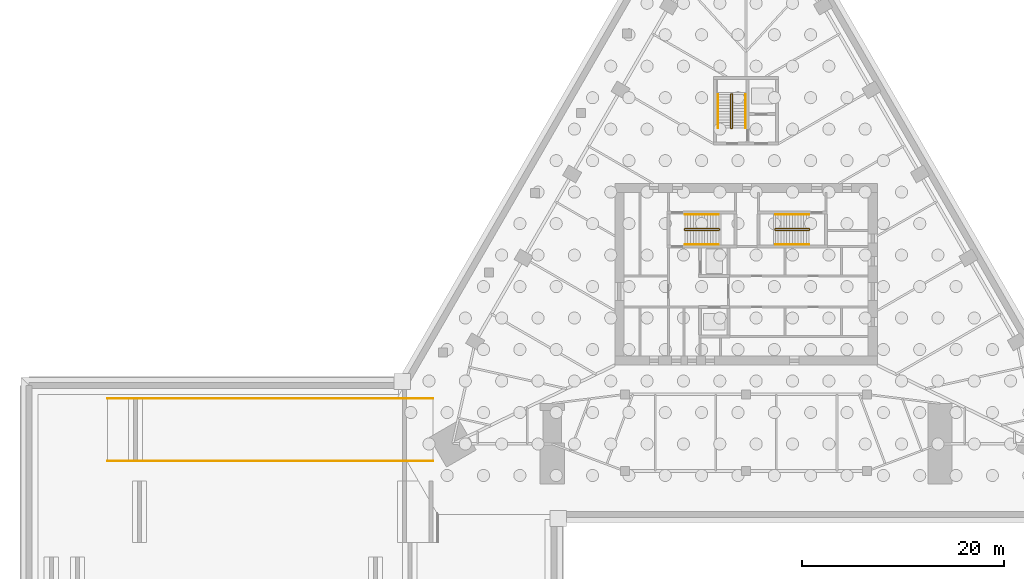
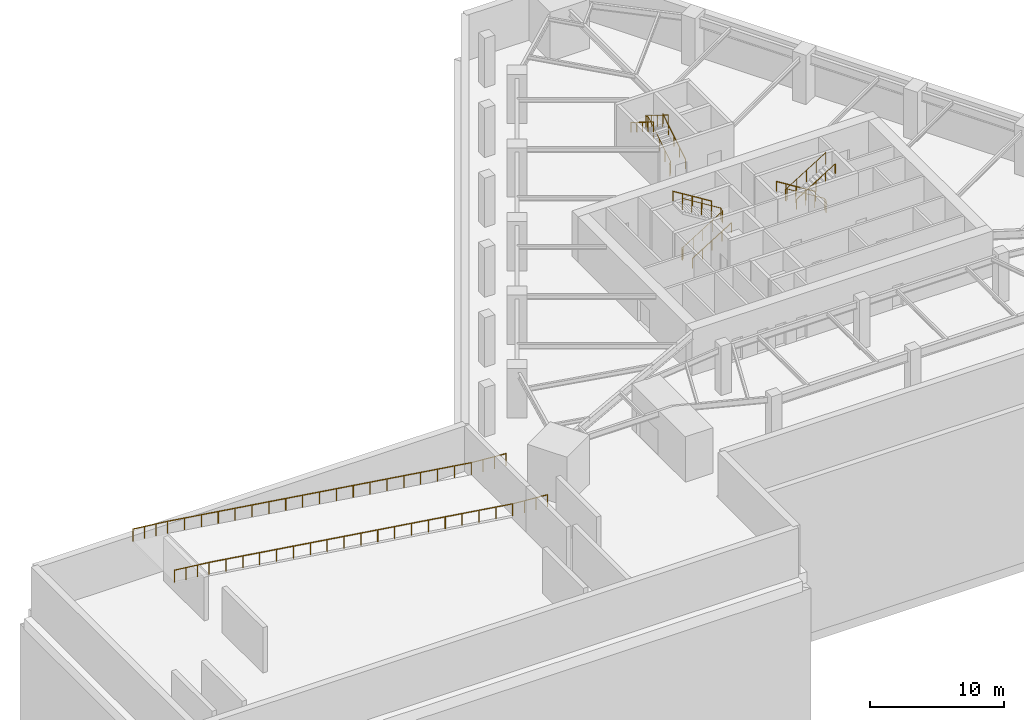
# One storey, part 7 of 8: 11 railings.
"""IFC4 building model written with IfcOpenShell, lengths in metres."""

from ifc_helpers import new_model, si_unit, direction, frame, origin, origin_2d, place, context, subcontext, project, spatial, circle, extrude, material, type_object, element, save


model = new_model("IFC4")

# Units and contexts
model_context = context("Model", 3, precision=1e-05, world=origin(), true_north=direction((0.0, 1.0)))
body_context = subcontext(model_context, "Body", "Model", "MODEL_VIEW")
ifc_project = project(units=[si_unit("LENGTHUNIT", "METRE"), si_unit("AREAUNIT", "SQUARE_METRE"), si_unit("VOLUMEUNIT", "CUBIC_METRE"), si_unit("PLANEANGLEUNIT", "RADIAN"), si_unit("MASSUNIT", "GRAM", prefix="KILO")], contexts=[model_context])

# Site, building, storey
site_placement = place(None, origin())
site = spatial("IfcSite", under=ifc_project, at=site_placement, CompositionType="ELEMENT")
building_placement = place(site_placement, origin())
building = spatial("IfcBuilding", under=site, at=building_placement, Name="Firuza Gate Tower and Library", CompositionType="ELEMENT")
storey_placement = place(building_placement, frame((0.0, 0.0, -14.0)))
storey = spatial("IfcBuildingStorey", under=building, at=storey_placement, Name="B3", CompositionType="ELEMENT", Elevation=-14.0)

# Railings
ifc_material_1 = material(Name="Steel S355", Category="steel")
railing_type_1 = type_object("IfcRailingType", Name="Ramp guard 1100", PredefinedType="GUARDRAIL", material=ifc_material_1)
railing_1_placement = place(storey_placement, frame((11.75, 56.5, 4.5)))
element("IfcRailing", 1, at=railing_1_placement, inside=storey, type_object=railing_type_1, Name="Car ramp 3 guard 1", PredefinedType="GUARDRAIL", context=body_context, shape_type="SweptSolid", body=[
    extrude(circle(Radius=0.02392578125, at=origin_2d()), frame((0.0, 0.0, 1.076171875), z_axis=(0.99388669344, 0.0, -0.110404893925), x_axis=(0.0, 1.0, 0.0)), (0.0, 0.0, 1.0), 3.0185546875),
    extrude(circle(Radius=0.02392578125, at=origin_2d()), frame((3.0, 0.0, 0.74267578125), z_axis=(0.989504049855, 0.0, -0.144505139424), x_axis=(0.0, 1.0, 0.0)), (0.0, 0.0, 1.0), 26.5283203125),
    extrude(circle(Radius=0.02392578125, at=origin_2d()), frame((29.25, 0.0, -3.0908203125), z_axis=(0.997245121448, 0.0, -0.074176598389), x_axis=(0.0, 1.0, 0.0)), (0.0, 0.0, 1.0), 3.00830078125),
    extrude(circle(Radius=0.02099609375, at=origin_2d()), origin(), (0.0, 0.0, 1.0), 1.052001953125),
    extrude(circle(Radius=0.02099609375, at=origin_2d()), frame((1.0, 0.0, -0.111083984375)), (0.0, 0.0, 1.0), 1.052001953125),
    extrude(circle(Radius=0.02099609375, at=origin_2d()), frame((2.0, 0.0, -0.22216796875)), (0.0, 0.0, 1.0), 1.052001953125),
    extrude(circle(Radius=0.02099609375, at=origin_2d()), frame((3.0, 0.0, -0.333251953125)), (0.0, 0.0, 1.0), 1.052001953125),
    extrude(circle(Radius=0.02099609375, at=origin_2d()), frame((4.458251953125, 0.0, -0.546142578125)), (0.0, 0.0, 1.0), 1.052001953125),
    extrude(circle(Radius=0.02099609375, at=origin_2d()), frame((5.916748046875, 0.0, -0.75927734375)), (0.0, 0.0, 1.0), 1.052001953125),
    extrude(circle(Radius=0.02099609375, at=origin_2d()), frame((7.375, 0.0, -0.97216796875)), (0.0, 0.0, 1.0), 1.052001953125),
    extrude(circle(Radius=0.02099609375, at=origin_2d()), frame((8.833251953125, 0.0, -1.18505859375)), (0.0, 0.0, 1.0), 1.052001953125),
    extrude(circle(Radius=0.02099609375, at=origin_2d()), frame((10.291748046875, 0.0, -1.398193359375)), (0.0, 0.0, 1.0), 1.052001953125),
    extrude(circle(Radius=0.02099609375, at=origin_2d()), frame((11.75, 0.0, -1.611083984375)), (0.0, 0.0, 1.0), 1.052001953125),
    extrude(circle(Radius=0.02099609375, at=origin_2d()), frame((13.208251953125, 0.0, -1.823974609375)), (0.0, 0.0, 1.0), 1.052001953125),
    extrude(circle(Radius=0.02099609375, at=origin_2d()), frame((14.666748046875, 0.0, -2.037109375)), (0.0, 0.0, 1.0), 1.052001953125),
    extrude(circle(Radius=0.02099609375, at=origin_2d()), frame((16.125, 0.0, -2.25)), (0.0, 0.0, 1.0), 1.052001953125),
    extrude(circle(Radius=0.02099609375, at=origin_2d()), frame((17.583251953125, 0.0, -2.462890625)), (0.0, 0.0, 1.0), 1.052001953125),
    extrude(circle(Radius=0.02099609375, at=origin_2d()), frame((19.041748046875, 0.0, -2.676025390625)), (0.0, 0.0, 1.0), 1.052001953125),
    extrude(circle(Radius=0.02099609375, at=origin_2d()), frame((20.5, 0.0, -2.888916015625)), (0.0, 0.0, 1.0), 1.052001953125),
    extrude(circle(Radius=0.02099609375, at=origin_2d()), frame((21.958251953125, 0.0, -3.101806640625)), (0.0, 0.0, 1.0), 1.052001953125),
    extrude(circle(Radius=0.02099609375, at=origin_2d()), frame((23.416748046875, 0.0, -3.31494140625)), (0.0, 0.0, 1.0), 1.052001953125),
    extrude(circle(Radius=0.02099609375, at=origin_2d()), frame((24.875, 0.0, -3.52783203125)), (0.0, 0.0, 1.0), 1.052001953125),
    extrude(circle(Radius=0.02099609375, at=origin_2d()), frame((26.333251953125, 0.0, -3.74072265625)), (0.0, 0.0, 1.0), 1.052001953125),
    extrude(circle(Radius=0.02099609375, at=origin_2d()), frame((27.791748046875, 0.0, -3.953857421875)), (0.0, 0.0, 1.0), 1.052001953125),
    extrude(circle(Radius=0.02099609375, at=origin_2d()), frame((29.25, 0.0, -4.166748046875)), (0.0, 0.0, 1.0), 1.052001953125),
    extrude(circle(Radius=0.02099609375, at=origin_2d()), frame((30.25, 0.0, -4.2412109375)), (0.0, 0.0, 1.0), 1.052001953125),
    extrude(circle(Radius=0.02099609375, at=origin_2d()), frame((31.25, 0.0, -4.3154296875)), (0.0, 0.0, 1.0), 1.052001953125),
    extrude(circle(Radius=0.02099609375, at=origin_2d()), frame((32.25, 0.0, -4.389892578125)), (0.0, 0.0, 1.0), 1.052001953125),
])
railing_2_placement = place(storey_placement, frame((11.75, 62.699951171875, 4.5)))
element("IfcRailing", 2, at=railing_2_placement, inside=storey, type_object=railing_type_1, Name="Car ramp 3 guard 2", PredefinedType="GUARDRAIL", context=body_context, shape_type="SweptSolid", body=[
    extrude(circle(Radius=0.02392578125, at=origin_2d()), frame((0.0, 0.0, 1.076171875), z_axis=(0.99388669344, 0.0, -0.110404893925), x_axis=(0.0, 1.0, 0.0)), (0.0, 0.0, 1.0), 3.0185546875),
    extrude(circle(Radius=0.02392578125, at=origin_2d()), frame((3.0, 0.0, 0.74267578125), z_axis=(0.989504049855, 0.0, -0.144505139424), x_axis=(0.0, 1.0, 0.0)), (0.0, 0.0, 1.0), 26.5283203125),
    extrude(circle(Radius=0.02392578125, at=origin_2d()), frame((29.25, 0.0, -3.0908203125), z_axis=(0.997245121448, 0.0, -0.074176598389), x_axis=(0.0, 1.0, 0.0)), (0.0, 0.0, 1.0), 3.00830078125),
    extrude(circle(Radius=0.02099609375, at=origin_2d()), origin(), (0.0, 0.0, 1.0), 1.052001953125),
    extrude(circle(Radius=0.02099609375, at=origin_2d()), frame((1.0, 0.0, -0.111083984375)), (0.0, 0.0, 1.0), 1.052001953125),
    extrude(circle(Radius=0.02099609375, at=origin_2d()), frame((2.0, 0.0, -0.22216796875)), (0.0, 0.0, 1.0), 1.052001953125),
    extrude(circle(Radius=0.02099609375, at=origin_2d()), frame((3.0, 0.0, -0.333251953125)), (0.0, 0.0, 1.0), 1.052001953125),
    extrude(circle(Radius=0.02099609375, at=origin_2d()), frame((4.458251953125, 0.0, -0.546142578125)), (0.0, 0.0, 1.0), 1.052001953125),
    extrude(circle(Radius=0.02099609375, at=origin_2d()), frame((5.916748046875, 0.0, -0.75927734375)), (0.0, 0.0, 1.0), 1.052001953125),
    extrude(circle(Radius=0.02099609375, at=origin_2d()), frame((7.375, 0.0, -0.97216796875)), (0.0, 0.0, 1.0), 1.052001953125),
    extrude(circle(Radius=0.02099609375, at=origin_2d()), frame((8.833251953125, 0.0, -1.18505859375)), (0.0, 0.0, 1.0), 1.052001953125),
    extrude(circle(Radius=0.02099609375, at=origin_2d()), frame((10.291748046875, 0.0, -1.398193359375)), (0.0, 0.0, 1.0), 1.052001953125),
    extrude(circle(Radius=0.02099609375, at=origin_2d()), frame((11.75, 0.0, -1.611083984375)), (0.0, 0.0, 1.0), 1.052001953125),
    extrude(circle(Radius=0.02099609375, at=origin_2d()), frame((13.208251953125, 0.0, -1.823974609375)), (0.0, 0.0, 1.0), 1.052001953125),
    extrude(circle(Radius=0.02099609375, at=origin_2d()), frame((14.666748046875, 0.0, -2.037109375)), (0.0, 0.0, 1.0), 1.052001953125),
    extrude(circle(Radius=0.02099609375, at=origin_2d()), frame((16.125, 0.0, -2.25)), (0.0, 0.0, 1.0), 1.052001953125),
    extrude(circle(Radius=0.02099609375, at=origin_2d()), frame((17.583251953125, 0.0, -2.462890625)), (0.0, 0.0, 1.0), 1.052001953125),
    extrude(circle(Radius=0.02099609375, at=origin_2d()), frame((19.041748046875, 0.0, -2.676025390625)), (0.0, 0.0, 1.0), 1.052001953125),
    extrude(circle(Radius=0.02099609375, at=origin_2d()), frame((20.5, 0.0, -2.888916015625)), (0.0, 0.0, 1.0), 1.052001953125),
    extrude(circle(Radius=0.02099609375, at=origin_2d()), frame((21.958251953125, 0.0, -3.101806640625)), (0.0, 0.0, 1.0), 1.052001953125),
    extrude(circle(Radius=0.02099609375, at=origin_2d()), frame((23.416748046875, 0.0, -3.31494140625)), (0.0, 0.0, 1.0), 1.052001953125),
    extrude(circle(Radius=0.02099609375, at=origin_2d()), frame((24.875, 0.0, -3.52783203125)), (0.0, 0.0, 1.0), 1.052001953125),
    extrude(circle(Radius=0.02099609375, at=origin_2d()), frame((26.333251953125, 0.0, -3.74072265625)), (0.0, 0.0, 1.0), 1.052001953125),
    extrude(circle(Radius=0.02099609375, at=origin_2d()), frame((27.791748046875, 0.0, -3.953857421875)), (0.0, 0.0, 1.0), 1.052001953125),
    extrude(circle(Radius=0.02099609375, at=origin_2d()), frame((29.25, 0.0, -4.166748046875)), (0.0, 0.0, 1.0), 1.052001953125),
    extrude(circle(Radius=0.02099609375, at=origin_2d()), frame((30.25, 0.0, -4.2412109375)), (0.0, 0.0, 1.0), 1.052001953125),
    extrude(circle(Radius=0.02099609375, at=origin_2d()), frame((31.25, 0.0, -4.3154296875)), (0.0, 0.0, 1.0), 1.052001953125),
    extrude(circle(Radius=0.02099609375, at=origin_2d()), frame((32.25, 0.0, -4.389892578125)), (0.0, 0.0, 1.0), 1.052001953125),
])
ifc_material_2 = material(Name="Steel S355", Category="steel")
railing_type_2 = type_object("IfcRailingType", Name="Stair guard 1100", PredefinedType="GUARDRAIL", material=ifc_material_2)
railing_3_placement = place(storey_placement, frame((68.889892578125, 79.389892578125, 0.0)))
element("IfcRailing", 3, at=railing_3_placement, inside=storey, type_object=railing_type_2, Name="B3 ST1 stair guard 1", PredefinedType="GUARDRAIL", context=body_context, shape_type="SweptSolid", body=[
    extrude(circle(Radius=0.02392578125, at=origin_2d()), frame((0.0, 0.0, 1.076171875), z_axis=(0.0, 1.0, 0.0), x_axis=(-1.0, 0.0, 0.0)), (0.0, 0.0, 1.0), 0.10009765625),
    extrude(circle(Radius=0.02392578125, at=origin_2d()), frame((0.0, 0.10009765625, 1.076171875), z_axis=(0.213529850563, -0.639547942662, 0.73850080024), x_axis=(0.948528701346, 0.316691178788, 0.0)), (0.0, 0.0, 1.0), 0.234375),
    extrude(circle(Radius=0.02392578125, at=origin_2d()), frame((0.050048828125, -0.0498046875, 1.2490234375), z_axis=(0.850623216509, 0.0, 0.525775754039), x_axis=(0.0, 1.0, 0.0)), (0.0, 0.0, 1.0), 3.9501953125),
    extrude(circle(Radius=0.02392578125, at=origin_2d()), frame((3.41015625, -0.0498046875, 3.326171875), z_axis=(0.708833529934, 0.705375805398, 0.0), x_axis=(-0.705375805398, 0.708833529934, 0.0)), (0.0, 0.0, 1.0), 0.070556640625),
    extrude(circle(Radius=0.02392578125, at=origin_2d()), frame((3.460205078125, 0.0, 3.326171875), z_axis=(0.0, 1.0, 0.0), x_axis=(-1.0, 0.0, 0.0)), (0.0, 0.0, 1.0), 0.10009765625),
    extrude(circle(Radius=0.02392578125, at=origin_2d()), frame((3.460205078125, 0.10009765625, 3.326171875), z_axis=(-0.267629722418, 0.267629722418, 0.925607186314), x_axis=(-0.707106781187, -0.707106781187, 0.0)), (0.0, 0.0, 1.0), 0.18701171875),
    extrude(circle(Radius=0.02392578125, at=origin_2d()), frame((3.41015625, 0.150146484375, 3.4990234375), z_axis=(-0.850623216509, 0.0, 0.525775754039), x_axis=(0.0, -1.0, 0.0)), (0.0, 0.0, 1.0), 3.9501953125),
    extrude(circle(Radius=0.02099609375, at=origin_2d()), origin(), (0.0, 0.0, 1.0), 1.052001953125),
    extrude(circle(Radius=0.02099609375, at=origin_2d()), frame((0.0, 0.10009765625, 0.0)), (0.0, 0.0, 1.0), 1.052001953125),
    extrude(circle(Radius=0.02099609375, at=origin_2d()), frame((0.050048828125, -0.0498046875, 0.173095703125)), (0.0, 0.0, 1.0), 1.052001953125),
    extrude(circle(Radius=0.02099609375, at=origin_2d()), frame((0.89013671875, -0.0498046875, 0.6923828125)), (0.0, 0.0, 1.0), 1.052001953125),
    extrude(circle(Radius=0.02099609375, at=origin_2d()), frame((1.72998046875, -0.0498046875, 1.21142578125)), (0.0, 0.0, 1.0), 1.052001953125),
    extrude(circle(Radius=0.02099609375, at=origin_2d()), frame((2.570068359375, -0.0498046875, 1.730712890625)), (0.0, 0.0, 1.0), 1.052001953125),
    extrude(circle(Radius=0.02099609375, at=origin_2d()), frame((3.41015625, -0.0498046875, 2.25)), (0.0, 0.0, 1.0), 1.052001953125),
    extrude(circle(Radius=0.02099609375, at=origin_2d()), frame((3.460205078125, 0.0, 2.25)), (0.0, 0.0, 1.0), 1.052001953125),
    extrude(circle(Radius=0.02099609375, at=origin_2d()), frame((3.460205078125, 0.10009765625, 2.25)), (0.0, 0.0, 1.0), 1.052001953125),
    extrude(circle(Radius=0.02099609375, at=origin_2d()), frame((3.41015625, 0.150146484375, 2.423095703125)), (0.0, 0.0, 1.0), 1.052001953125),
    extrude(circle(Radius=0.02099609375, at=origin_2d()), frame((2.570068359375, 0.150146484375, 2.9423828125)), (0.0, 0.0, 1.0), 1.052001953125),
    extrude(circle(Radius=0.02099609375, at=origin_2d()), frame((1.72998046875, 0.150146484375, 3.46142578125)), (0.0, 0.0, 1.0), 1.052001953125),
    extrude(circle(Radius=0.02099609375, at=origin_2d()), frame((0.89013671875, 0.150146484375, 3.980712890625)), (0.0, 0.0, 1.0), 1.052001953125),
    extrude(circle(Radius=0.02099609375, at=origin_2d()), frame((0.050048828125, 0.150146484375, 4.5)), (0.0, 0.0, 1.0), 1.052001953125),
])
railing_4_placement = place(storey_placement, frame((81.31005859375, 79.489990234375, 0.0)))
element("IfcRailing", 4, at=railing_4_placement, inside=storey, type_object=railing_type_2, Name="B3 ST2 stair guard 1", PredefinedType="GUARDRAIL", context=body_context, shape_type="SweptSolid", body=[
    extrude(circle(Radius=0.02392578125, at=origin_2d()), frame((0.0, 0.0, 1.076171875), z_axis=(0.0, -1.0, 0.0), x_axis=(1.0, 0.0, 0.0)), (0.0, 0.0, 1.0), 0.10009765625),
    extrude(circle(Radius=0.02392578125, at=origin_2d()), frame((0.0, -0.10009765625, 1.076171875), z_axis=(-0.213387632126, 0.640162896378, 0.738008932572), x_axis=(-0.948683298051, -0.316227766017, 0.0)), (0.0, 0.0, 1.0), 0.234619140625),
    extrude(circle(Radius=0.02392578125, at=origin_2d()), frame((-0.050048828125, 0.050048828125, 1.2490234375), z_axis=(-0.850623216509, 0.0, 0.525775754039), x_axis=(0.0, -1.0, 0.0)), (0.0, 0.0, 1.0), 3.9501953125),
    extrude(circle(Radius=0.02392578125, at=origin_2d()), frame((-3.41015625, 0.050048828125, 3.326171875), z_axis=(-0.705375805398, -0.708833529934, 0.0), x_axis=(0.708833529934, -0.705375805398, 0.0)), (0.0, 0.0, 1.0), 0.070556640625),
    extrude(circle(Radius=0.02392578125, at=origin_2d()), frame((-3.4599609375, 0.0, 3.326171875), z_axis=(0.0, -1.0, 0.0), x_axis=(1.0, 0.0, 0.0)), (0.0, 0.0, 1.0), 0.10009765625),
    extrude(circle(Radius=0.02392578125, at=origin_2d()), frame((-3.4599609375, -0.10009765625, 3.326171875), z_axis=(0.26651005591, -0.26651005591, 0.926253086471), x_axis=(0.707106781187, 0.707106781187, 0.0)), (0.0, 0.0, 1.0), 0.186767578125),
    extrude(circle(Radius=0.02392578125, at=origin_2d()), frame((-3.41015625, -0.14990234375, 3.4990234375), z_axis=(0.850623216509, 0.0, 0.525775754039), x_axis=(0.0, 1.0, 0.0)), (0.0, 0.0, 1.0), 3.9501953125),
    extrude(circle(Radius=0.02099609375, at=origin_2d()), origin(), (0.0, 0.0, 1.0), 1.052001953125),
    extrude(circle(Radius=0.02099609375, at=origin_2d()), frame((0.0, -0.10009765625, 0.0)), (0.0, 0.0, 1.0), 1.052001953125),
    extrude(circle(Radius=0.02099609375, at=origin_2d()), frame((-0.050048828125, 0.050048828125, 0.173095703125)), (0.0, 0.0, 1.0), 1.052001953125),
    extrude(circle(Radius=0.02099609375, at=origin_2d()), frame((-0.89013671875, 0.050048828125, 0.6923828125)), (0.0, 0.0, 1.0), 1.052001953125),
    extrude(circle(Radius=0.02099609375, at=origin_2d()), frame((-1.72998046875, 0.050048828125, 1.21142578125)), (0.0, 0.0, 1.0), 1.052001953125),
    extrude(circle(Radius=0.02099609375, at=origin_2d()), frame((-2.570068359375, 0.050048828125, 1.730712890625)), (0.0, 0.0, 1.0), 1.052001953125),
    extrude(circle(Radius=0.02099609375, at=origin_2d()), frame((-3.41015625, 0.050048828125, 2.25)), (0.0, 0.0, 1.0), 1.052001953125),
    extrude(circle(Radius=0.02099609375, at=origin_2d()), frame((-3.4599609375, 0.0, 2.25)), (0.0, 0.0, 1.0), 1.052001953125),
    extrude(circle(Radius=0.02099609375, at=origin_2d()), frame((-3.4599609375, -0.10009765625, 2.25)), (0.0, 0.0, 1.0), 1.052001953125),
    extrude(circle(Radius=0.02099609375, at=origin_2d()), frame((-3.41015625, -0.14990234375, 2.423095703125)), (0.0, 0.0, 1.0), 1.052001953125),
    extrude(circle(Radius=0.02099609375, at=origin_2d()), frame((-2.570068359375, -0.14990234375, 2.9423828125)), (0.0, 0.0, 1.0), 1.052001953125),
    extrude(circle(Radius=0.02099609375, at=origin_2d()), frame((-1.72998046875, -0.14990234375, 3.46142578125)), (0.0, 0.0, 1.0), 1.052001953125),
    extrude(circle(Radius=0.02099609375, at=origin_2d()), frame((-0.89013671875, -0.14990234375, 3.980712890625)), (0.0, 0.0, 1.0), 1.052001953125),
    extrude(circle(Radius=0.02099609375, at=origin_2d()), frame((-0.050048828125, -0.14990234375, 4.5)), (0.0, 0.0, 1.0), 1.052001953125),
])
railing_5_placement = place(storey_placement, frame((73.6298828125, 89.419921875, 0.0)))
element("IfcRailing", 5, at=railing_5_placement, inside=storey, type_object=railing_type_2, Name="B3 ST3 stair guard 1", PredefinedType="GUARDRAIL", context=body_context, shape_type="SweptSolid", body=[
    extrude(circle(Radius=0.02392578125, at=origin_2d()), frame((0.0, 0.0, 1.076171875), z_axis=(-1.0, 0.0, 0.0), x_axis=(0.0, -1.0, 0.0)), (0.0, 0.0, 1.0), 0.099853515625),
    extrude(circle(Radius=0.02392578125, at=origin_2d()), frame((-0.099853515625, 0.0, 1.076171875), z_axis=(0.639547942662, 0.213529850563, 0.73850080024), x_axis=(-0.316691178788, 0.948528701346, 0.0)), (0.0, 0.0, 1.0), 0.234375),
    extrude(circle(Radius=0.02392578125, at=origin_2d()), frame((0.050048828125, 0.050048828125, 1.2490234375), z_axis=(0.0, 0.850623216509, 0.525775754039), x_axis=(-1.0, 0.0, 0.0)), (0.0, 0.0, 1.0), 3.9501953125),
    extrude(circle(Radius=0.02392578125, at=origin_2d()), frame((0.050048828125, 3.41015625, 3.326171875), z_axis=(-0.708833529934, 0.705375805398, 0.0), x_axis=(-0.705375805398, -0.708833529934, 0.0)), (0.0, 0.0, 1.0), 0.070556640625),
    extrude(circle(Radius=0.02392578125, at=origin_2d()), frame((0.0, 3.4599609375, 3.326171875), z_axis=(-1.0, 0.0, 0.0), x_axis=(0.0, -1.0, 0.0)), (0.0, 0.0, 1.0), 0.099853515625),
    extrude(circle(Radius=0.02392578125, at=origin_2d()), frame((-0.099853515625, 3.4599609375, 3.326171875), z_axis=(-0.267723051232, -0.266417085129, 0.925929967433), x_axis=(0.705375805398, -0.708833529934, 0.0)), (0.0, 0.0, 1.0), 0.18701171875),
    extrude(circle(Radius=0.02392578125, at=origin_2d()), frame((-0.14990234375, 3.41015625, 3.4990234375), z_axis=(0.0, -0.850623216509, 0.525775754039), x_axis=(1.0, 0.0, 0.0)), (0.0, 0.0, 1.0), 3.9501953125),
    extrude(circle(Radius=0.02099609375, at=origin_2d()), origin(), (0.0, 0.0, 1.0), 1.052001953125),
    extrude(circle(Radius=0.02099609375, at=origin_2d()), frame((-0.099853515625, 0.0, 0.0)), (0.0, 0.0, 1.0), 1.052001953125),
    extrude(circle(Radius=0.02099609375, at=origin_2d()), frame((0.050048828125, 0.050048828125, 0.173095703125)), (0.0, 0.0, 1.0), 1.052001953125),
    extrude(circle(Radius=0.02099609375, at=origin_2d()), frame((0.050048828125, 0.89013671875, 0.6923828125)), (0.0, 0.0, 1.0), 1.052001953125),
    extrude(circle(Radius=0.02099609375, at=origin_2d()), frame((0.050048828125, 1.72998046875, 1.21142578125)), (0.0, 0.0, 1.0), 1.052001953125),
    extrude(circle(Radius=0.02099609375, at=origin_2d()), frame((0.050048828125, 2.570068359375, 1.730712890625)), (0.0, 0.0, 1.0), 1.052001953125),
    extrude(circle(Radius=0.02099609375, at=origin_2d()), frame((0.050048828125, 3.41015625, 2.25)), (0.0, 0.0, 1.0), 1.052001953125),
    extrude(circle(Radius=0.02099609375, at=origin_2d()), frame((0.0, 3.4599609375, 2.25)), (0.0, 0.0, 1.0), 1.052001953125),
    extrude(circle(Radius=0.02099609375, at=origin_2d()), frame((-0.099853515625, 3.4599609375, 2.25)), (0.0, 0.0, 1.0), 1.052001953125),
    extrude(circle(Radius=0.02099609375, at=origin_2d()), frame((-0.14990234375, 3.41015625, 2.423095703125)), (0.0, 0.0, 1.0), 1.052001953125),
    extrude(circle(Radius=0.02099609375, at=origin_2d()), frame((-0.14990234375, 2.570068359375, 2.9423828125)), (0.0, 0.0, 1.0), 1.052001953125),
    extrude(circle(Radius=0.02099609375, at=origin_2d()), frame((-0.14990234375, 1.72998046875, 3.46142578125)), (0.0, 0.0, 1.0), 1.052001953125),
    extrude(circle(Radius=0.02099609375, at=origin_2d()), frame((-0.14990234375, 0.89013671875, 3.980712890625)), (0.0, 0.0, 1.0), 1.052001953125),
    extrude(circle(Radius=0.02099609375, at=origin_2d()), frame((-0.14990234375, 0.050048828125, 4.5)), (0.0, 0.0, 1.0), 1.052001953125),
])
ifc_material_3 = material(Name="Steel S355", Category="steel")
railing_type_3 = type_object("IfcRailingType", Name="Stair handrail 900", PredefinedType="HANDRAIL", material=ifc_material_3)
railing_6_placement = place(storey_placement, frame((68.93994140625, 77.949951171875, 0.173095703125)))
element("IfcRailing", 6, at=railing_6_placement, inside=storey, type_object=railing_type_3, Name="B3 ST1 stair handrail 1", PredefinedType="HANDRAIL", context=body_context, shape_type="SweptSolid", body=[
    extrude(circle(Radius=0.02392578125, at=origin_2d()), frame((0.0, 0.0, 0.8759765625), z_axis=(0.850623216509, 0.0, 0.525775754039), x_axis=(0.0, 1.0, 0.0)), (0.0, 0.0, 1.0), 3.9501953125),
    extrude(circle(Radius=0.02099609375, at=origin_2d()), origin(), (0.0, 0.0, 1.0), 0.851806640625),
    extrude(circle(Radius=0.02099609375, at=origin_2d()), frame((0.840087890625, 0.0, 0.519287109375)), (0.0, 0.0, 1.0), 0.851806640625),
    extrude(circle(Radius=0.02099609375, at=origin_2d()), frame((1.68017578125, 0.0, 1.03857421875)), (0.0, 0.0, 1.0), 0.851806640625),
    extrude(circle(Radius=0.02099609375, at=origin_2d()), frame((2.52001953125, 0.0, 1.5576171875)), (0.0, 0.0, 1.0), 0.851806640625),
    extrude(circle(Radius=0.02099609375, at=origin_2d()), frame((3.360107421875, 0.0, 2.076904296875)), (0.0, 0.0, 1.0), 0.851806640625),
])
for number, where, name in (
    (7, (72.300048828125, 80.929931640625, 2.423095703125), "B3 ST1 stair handrail 2"),
    (8, (81.260009765625, 80.929931640625, 0.173095703125), "B3 ST2 stair handrail 1"),
):
    element("IfcRailing", number, at=place(storey_placement, frame(where)), inside=storey, type_object=railing_type_3, Name=name, PredefinedType="HANDRAIL", context=body_context, shape_type="SweptSolid", body=[
        extrude(circle(Radius=0.02392578125, at=origin_2d()), frame((0.0, 0.0, 0.8759765625), z_axis=(-0.850623216509, 0.0, 0.525775754039), x_axis=(0.0, -1.0, 0.0)), (0.0, 0.0, 1.0), 3.9501953125),
        extrude(circle(Radius=0.02099609375, at=origin_2d()), origin(), (0.0, 0.0, 1.0), 0.851806640625),
        extrude(circle(Radius=0.02099609375, at=origin_2d()), frame((-0.840087890625, 0.0, 0.519287109375)), (0.0, 0.0, 1.0), 0.851806640625),
        extrude(circle(Radius=0.02099609375, at=origin_2d()), frame((-1.68017578125, 0.0, 1.03857421875)), (0.0, 0.0, 1.0), 0.851806640625),
        extrude(circle(Radius=0.02099609375, at=origin_2d()), frame((-2.52001953125, 0.0, 1.5576171875)), (0.0, 0.0, 1.0), 0.851806640625),
        extrude(circle(Radius=0.02099609375, at=origin_2d()), frame((-3.360107421875, 0.0, 2.076904296875)), (0.0, 0.0, 1.0), 0.851806640625),
    ])
railing_7_placement = place(storey_placement, frame((77.89990234375, 77.949951171875, 2.423095703125)))
element("IfcRailing", 9, at=railing_7_placement, inside=storey, type_object=railing_type_3, Name="B3 ST2 stair handrail 2", PredefinedType="HANDRAIL", context=body_context, shape_type="SweptSolid", body=[
    extrude(circle(Radius=0.02392578125, at=origin_2d()), frame((0.0, 0.0, 0.8759765625), z_axis=(0.850623216509, 0.0, 0.525775754039), x_axis=(0.0, 1.0, 0.0)), (0.0, 0.0, 1.0), 3.9501953125),
    extrude(circle(Radius=0.02099609375, at=origin_2d()), origin(), (0.0, 0.0, 1.0), 0.851806640625),
    extrude(circle(Radius=0.02099609375, at=origin_2d()), frame((0.840087890625, 0.0, 0.519287109375)), (0.0, 0.0, 1.0), 0.851806640625),
    extrude(circle(Radius=0.02099609375, at=origin_2d()), frame((1.68017578125, 0.0, 1.03857421875)), (0.0, 0.0, 1.0), 0.851806640625),
    extrude(circle(Radius=0.02099609375, at=origin_2d()), frame((2.52001953125, 0.0, 1.5576171875)), (0.0, 0.0, 1.0), 0.851806640625),
    extrude(circle(Radius=0.02099609375, at=origin_2d()), frame((3.360107421875, 0.0, 2.076904296875)), (0.0, 0.0, 1.0), 0.851806640625),
])
railing_8_placement = place(storey_placement, frame((74.949951171875, 89.469970703125, 0.173095703125)))
element("IfcRailing", 10, at=railing_8_placement, inside=storey, type_object=railing_type_3, Name="B3 ST3 stair handrail 1", PredefinedType="HANDRAIL", context=body_context, shape_type="SweptSolid", body=[
    extrude(circle(Radius=0.02392578125, at=origin_2d()), frame((0.0, 0.0, 0.8759765625), z_axis=(0.0, 0.850623216509, 0.525775754039), x_axis=(-1.0, 0.0, 0.0)), (0.0, 0.0, 1.0), 3.9501953125),
    extrude(circle(Radius=0.02099609375, at=origin_2d()), origin(), (0.0, 0.0, 1.0), 0.851806640625),
    extrude(circle(Radius=0.02099609375, at=origin_2d()), frame((0.0, 0.840087890625, 0.519287109375)), (0.0, 0.0, 1.0), 0.851806640625),
    extrude(circle(Radius=0.02099609375, at=origin_2d()), frame((0.0, 1.68017578125, 1.03857421875)), (0.0, 0.0, 1.0), 0.851806640625),
    extrude(circle(Radius=0.02099609375, at=origin_2d()), frame((0.0, 2.52001953125, 1.5576171875)), (0.0, 0.0, 1.0), 0.851806640625),
    extrude(circle(Radius=0.02099609375, at=origin_2d()), frame((0.0, 3.360107421875, 2.076904296875)), (0.0, 0.0, 1.0), 0.851806640625),
])
railing_9_placement = place(storey_placement, frame((72.2099609375, 92.830078125, 2.423095703125)))
element("IfcRailing", 11, at=railing_9_placement, inside=storey, type_object=railing_type_3, Name="B3 ST3 stair handrail 2", PredefinedType="HANDRAIL", context=body_context, shape_type="SweptSolid", body=[
    extrude(circle(Radius=0.02392578125, at=origin_2d()), frame((0.0, 0.0, 0.8759765625), z_axis=(0.0, -0.850623216509, 0.525775754039), x_axis=(1.0, 0.0, 0.0)), (0.0, 0.0, 1.0), 3.9501953125),
    extrude(circle(Radius=0.02099609375, at=origin_2d()), origin(), (0.0, 0.0, 1.0), 0.851806640625),
    extrude(circle(Radius=0.02099609375, at=origin_2d()), frame((0.0, -0.840087890625, 0.519287109375)), (0.0, 0.0, 1.0), 0.851806640625),
    extrude(circle(Radius=0.02099609375, at=origin_2d()), frame((0.0, -1.68017578125, 1.03857421875)), (0.0, 0.0, 1.0), 0.851806640625),
    extrude(circle(Radius=0.02099609375, at=origin_2d()), frame((0.0, -2.52001953125, 1.5576171875)), (0.0, 0.0, 1.0), 0.851806640625),
    extrude(circle(Radius=0.02099609375, at=origin_2d()), frame((0.0, -3.360107421875, 2.076904296875)), (0.0, 0.0, 1.0), 0.851806640625),
])

save(model, "model.ifc")
